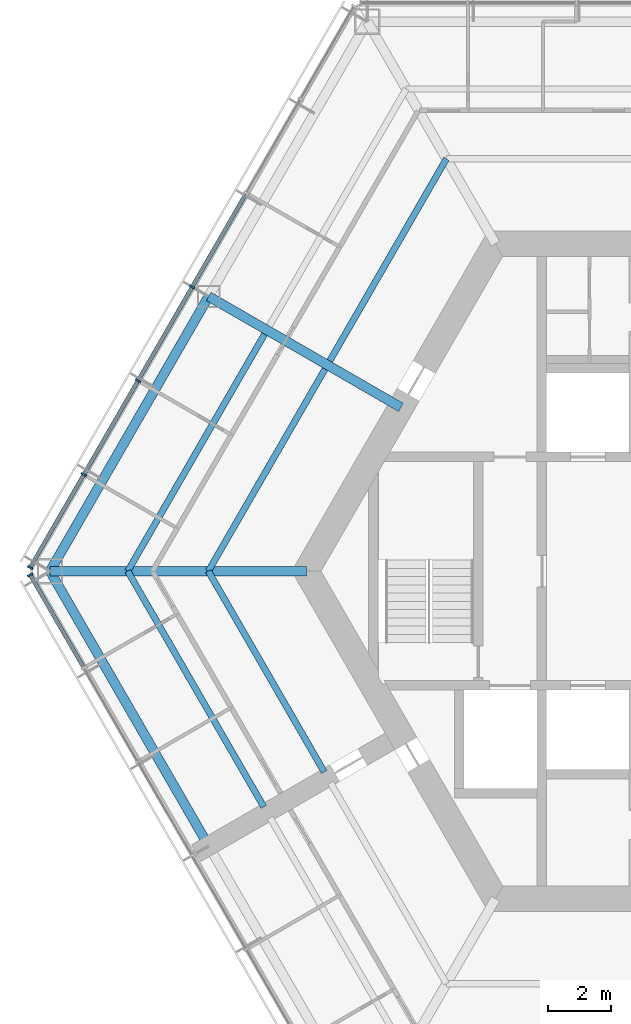
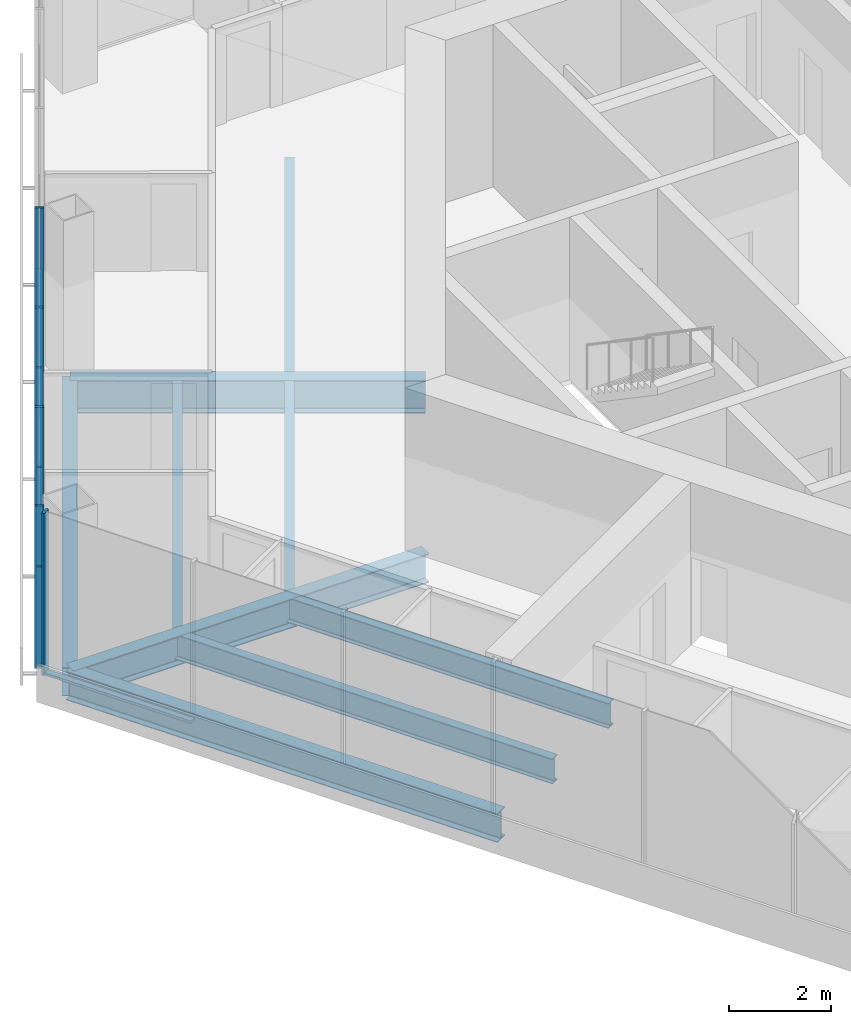
# One storey, part 3 of 13: 10 members, 9 beams, 2 elements without a shape of their own.
"""IFC4 building model written with IfcOpenShell, lengths in metres."""

from ifc_helpers import new_model, si_unit, direction, frame, origin, origin_2d, place, context, subcontext, project, spatial, rectangle, i_section, extrude, material, material_profile, profile_set, type_object, element, aggregate, save


model = new_model("IFC4")

# Units and contexts
model_context = context("Model", 3, precision=1e-05, world=origin(), true_north=direction((0.0, 1.0)))
body_context = subcontext(model_context, "Body", "Model", "MODEL_VIEW")
ifc_project = project(units=[si_unit("LENGTHUNIT", "METRE"), si_unit("AREAUNIT", "SQUARE_METRE"), si_unit("VOLUMEUNIT", "CUBIC_METRE"), si_unit("PLANEANGLEUNIT", "RADIAN"), si_unit("MASSUNIT", "GRAM", prefix="KILO")], contexts=[model_context])

# Site, building, storey
site_placement = place(None, origin())
site = spatial("IfcSite", under=ifc_project, at=site_placement, CompositionType="ELEMENT")
building_placement = place(site_placement, origin())
building = spatial("IfcBuilding", under=site, at=building_placement, Name="Kasaneha Research Tower", CompositionType="ELEMENT")
storey_placement = place(building_placement, frame((0.0, 0.0, 298.60009765625)))
storey = spatial("IfcBuildingStorey", under=building, at=storey_placement, Name="L75", CompositionType="ELEMENT", Elevation=298.60009765625)

# Beams
ifc_material_1 = material(Name="Steel SN490B", Category="steel")
ifc_material_profile_1 = material_profile(ifc_material_1, i_section(OverallWidth=0.199951171875, OverallDepth=0.60009765625, WebThickness=0.010986328125, FlangeThickness=0.01708984375, FilletRadius=0.012939453125, at=origin_2d()), Name="H-600x200x11x17")
ifc_profile_set_1 = profile_set([ifc_material_profile_1], Name="Steel SN490B")
beam_type_1 = type_object("IfcBeamType", Name="B1-3 secondary beam H-600x200x11x17", PredefinedType="JOIST", material=ifc_profile_set_1)
for number, where, z_axis, x_axis, name in (
    (1, (-7.505615234375, 13.0, -0.4501953125), (-0.499994443168, -0.866028611999, 0.0), (0.866028611999, -0.499994443168, 0.0), "Secondary beam RS150L1 L75"),
    (2, (-15.010986328125, 0.0, -0.4501953125), (0.499994443168, 0.866028611999, 0.0), (-0.866028611999, 0.499994443168, 0.0), "Secondary beam RS150R1 L75"),
):
    element("IfcBeam", number, at=place(storey_placement, frame(where, z_axis=z_axis, x_axis=x_axis)), inside=storey, type_object=beam_type_1, Name=name, PredefinedType="JOIST", context=body_context, shape_type="SweptSolid", body=[
        extrude(i_section(OverallWidth=0.199951171875, OverallDepth=0.60009765625, WebThickness=0.010986328125, FlangeThickness=0.01708984375, FilletRadius=0.012939453125, at=origin_2d()), origin(), (0.0, 0.0, 1.0), 7.35546875),
    ])
beam_1_placement = place(storey_placement, frame((-17.551513671875, 0.0, -0.4501953125), z_axis=(0.5000050195, 0.866022505755, 0.0), x_axis=(-0.866022505755, 0.5000050195, 0.0)))
element("IfcBeam", 3, at=beam_1_placement, inside=storey, type_object=beam_type_1, Name="Secondary beam RS150R2 L75", PredefinedType="JOIST", context=body_context, shape_type="SweptSolid", body=[
    extrude(i_section(OverallWidth=0.199951171875, OverallDepth=0.60009765625, WebThickness=0.010986328125, FlangeThickness=0.01708984375, FilletRadius=0.012939453125, at=origin_2d()), origin(), (0.0, 0.0, 1.0), 8.6259765625),
])
beam_2_placement = place(storey_placement, frame((-15.010986328125, 0.0, -0.4501953125), z_axis=(0.499974128195, -0.866040340363, 0.0), x_axis=(0.866040340363, 0.499974128195, 0.0)))
element("IfcBeam", 4, at=beam_2_placement, inside=storey, type_object=beam_type_1, Name="Secondary beam RS210L1 L75", PredefinedType="JOIST", context=body_context, shape_type="SweptSolid", body=[
    extrude(i_section(OverallWidth=0.199951171875, OverallDepth=0.60009765625, WebThickness=0.010986328125, FlangeThickness=0.01708984375, FilletRadius=0.012939453125, at=origin_2d()), origin(), (0.0, 0.0, 1.0), 7.3056640625),
])
beam_3_placement = place(storey_placement, frame((-17.551513671875, 0.0, -0.4501953125), z_axis=(0.500000102728, -0.866025344474, 0.0), x_axis=(0.866025344474, 0.500000102728, 0.0)))
element("IfcBeam", 5, at=beam_3_placement, inside=storey, type_object=beam_type_1, Name="Secondary beam RS210L2 L75", PredefinedType="JOIST", context=body_context, shape_type="SweptSolid", body=[
    extrude(i_section(OverallWidth=0.199951171875, OverallDepth=0.60009765625, WebThickness=0.010986328125, FlangeThickness=0.01708984375, FilletRadius=0.012939453125, at=origin_2d()), origin(), (0.0, 0.0, 1.0), 8.57568359375),
])

# Curtain wall, members
ifc_material_2 = material(Name="Glass and aluminium", Category="aluminium")
curtain_wall_type = type_object("IfcCurtainWallType", Name="Crown curtain wall", PredefinedType="USERDEFINED", material=ifc_material_2)
curtain_wall_1_placement = place(storey_placement, origin())
curtain_wall_1 = element("IfcCurtainWall", 6, at=curtain_wall_1_placement, inside=storey, type_object=curtain_wall_type, Name="CW-C L75 run 03a", ObjectType="UNITISED CURTAIN WALL", PredefinedType="USERDEFINED")
ifc_material_3 = material(Name="Aluminium 6063-T6", Category="aluminium")
ifc_material_profile_2 = material_profile(ifc_material_3, rectangle(XDim=0.06005859375, YDim=0.179931640625, at=origin_2d()), Name="CW-C mullion 60x180")
ifc_profile_set_2 = profile_set([ifc_material_profile_2], Name="Aluminium 6063-T6")
member_type_1 = type_object("IfcMemberType", Name="CW-C mullion", PredefinedType="MULLION", material=ifc_profile_set_2)
member_1_placement = place(storey_placement, frame((-15.51953125, 8.960205078125, 0.0), z_axis=(0.0, 0.0, 1.0), x_axis=(-0.499999995722, -0.866025406254, 0.0)))
member_1 = element("IfcMember", 7, at=member_1_placement, type_object=member_type_1, Name="CW-C mullion 4", PredefinedType="MULLION", context=body_context, shape_type="SweptSolid", body=[
    extrude(rectangle(XDim=0.06005859375, YDim=0.179931640625, at=origin_2d()), origin(), (0.0, 0.0, 1.0), 3.89990234375),
])
member_2_placement = place(storey_placement, frame((-17.227294921875, 6.00244140625, 0.0), z_axis=(0.0, 0.0, 1.0), x_axis=(-0.499999995722, -0.866025406254, 0.0)))
member_2 = element("IfcMember", 8, at=member_2_placement, type_object=member_type_1, Name="CW-C mullion 5", PredefinedType="MULLION", context=body_context, shape_type="SweptSolid", body=[
    extrude(rectangle(XDim=0.06005859375, YDim=0.179931640625, at=origin_2d()), origin(), (0.0, 0.0, 1.0), 3.89990234375),
])
member_3_placement = place(storey_placement, frame((-18.93505859375, 3.04443359375, 0.0), z_axis=(0.0, 0.0, 1.0), x_axis=(-0.499999995722, -0.866025406254, 0.0)))
member_3 = element("IfcMember", 9, at=member_3_placement, type_object=member_type_1, Name="CW-C mullion 6", PredefinedType="MULLION", context=body_context, shape_type="SweptSolid", body=[
    extrude(rectangle(XDim=0.06005859375, YDim=0.179931640625, at=origin_2d()), origin(), (0.0, 0.0, 1.0), 3.89990234375),
])
member_4_placement = place(storey_placement, frame((-20.6279296875, 0.112548828125, 0.0), z_axis=(0.0, 0.0, 1.0), x_axis=(-0.499999995722, -0.866025406254, 0.0)))
member_4 = element("IfcMember", 10, at=member_4_placement, type_object=member_type_1, Name="CW-C mullion 7", PredefinedType="MULLION", context=body_context, shape_type="SweptSolid", body=[
    extrude(rectangle(XDim=0.06005859375, YDim=0.179931640625, at=origin_2d()), origin(), (0.0, 0.0, 1.0), 3.89990234375),
])

# Curtain wall, member
curtain_wall_2_placement = place(storey_placement, origin())
curtain_wall_2 = element("IfcCurtainWall", 11, at=curtain_wall_2_placement, inside=storey, type_object=curtain_wall_type, Name="CW-C L75 run 04a", ObjectType="UNITISED CURTAIN WALL", PredefinedType="USERDEFINED")
member_5_placement = place(storey_placement, frame((-20.6279296875, -0.112548828125, 0.0), z_axis=(0.0, 0.0, 1.0), x_axis=(0.499999995722, -0.866025406254, 0.0)))
member_5 = element("IfcMember", 12, at=member_5_placement, type_object=member_type_1, Name="CW-C mullion 1", PredefinedType="MULLION", context=body_context, shape_type="SweptSolid", body=[
    extrude(rectangle(XDim=0.06005859375, YDim=0.179931640625, at=origin_2d()), origin(), (0.0, 0.0, 1.0), 3.89990234375),
])

# Member
ifc_material_4 = material(Name="Aluminium 6063-T6", Category="aluminium")
ifc_material_profile_3 = material_profile(ifc_material_4, rectangle(XDim=0.1298828125, YDim=0.06005859375, at=origin_2d()), Name="CW-C transom 130x60")
ifc_profile_set_3 = profile_set([ifc_material_profile_3], Name="Aluminium 6063-T6")
member_type_2 = type_object("IfcMemberType", Name="CW-C transom", PredefinedType="USERDEFINED", material=ifc_profile_set_3)
member_6_placement = place(storey_placement, frame((-13.826904296875, 11.89208984375, 0.02978515625), z_axis=(-0.500020578564, -0.866013522419, 0.0), x_axis=(0.866013522419, -0.500020578564, 0.0)))
member_6 = element("IfcMember", 13, at=member_6_placement, type_object=member_type_2, Name="CW-C transom 3", ObjectType="TRANSOM", PredefinedType="USERDEFINED", context=body_context, shape_type="SweptSolid", body=[
    extrude(rectangle(XDim=0.1298828125, YDim=0.06005859375, at=origin_2d()), origin(), (0.0, 0.0, 1.0), 3.355224609375),
])

member_7_placement = place(storey_placement, frame((-15.53466796875, 8.934326171875, 0.02978515625), z_axis=(-0.499989072476, -0.866031712701, 0.0), x_axis=(0.866031712701, -0.499989072476, 0.0)))
member_7 = element("IfcMember", 14, at=member_7_placement, type_object=member_type_2, Name="CW-C transom 4", ObjectType="TRANSOM", PredefinedType="USERDEFINED", context=body_context, shape_type="SweptSolid", body=[
    extrude(rectangle(XDim=0.1298828125, YDim=0.06005859375, at=origin_2d()), origin(), (0.0, 0.0, 1.0), 3.35546875),
])

member_8_placement = place(storey_placement, frame((-17.242431640625, 5.976318359375, 0.02978515625), z_axis=(-0.500020578564, -0.866013522419, 0.0), x_axis=(0.866013522419, -0.500020578564, 0.0)))
member_8 = element("IfcMember", 15, at=member_8_placement, type_object=member_type_2, Name="CW-C transom 5", ObjectType="TRANSOM", PredefinedType="USERDEFINED", context=body_context, shape_type="SweptSolid", body=[
    extrude(rectangle(XDim=0.1298828125, YDim=0.06005859375, at=origin_2d()), origin(), (0.0, 0.0, 1.0), 3.355224609375),
])

member_9_placement = place(storey_placement, frame((-18.9501953125, 3.0185546875, 0.02978515625), z_axis=(-0.49997666526, -0.866038875684, 0.0), x_axis=(0.866038875684, -0.49997666526, 0.0)))
member_9 = element("IfcMember", 16, at=member_9_placement, type_object=member_type_2, Name="CW-C transom 6", ObjectType="TRANSOM", PredefinedType="USERDEFINED", context=body_context, shape_type="SweptSolid", body=[
    extrude(rectangle(XDim=0.1298828125, YDim=0.06005859375, at=origin_2d()), origin(), (0.0, 0.0, 1.0), 3.325439453125),
])

aggregate(curtain_wall_1, [member_1, member_2, member_3, member_4, member_6, member_7, member_8, member_9])

member_10_placement = place(storey_placement, frame((-20.61279296875, -0.138671875, 0.02978515625), z_axis=(0.49997666526, -0.866038875684, 0.0), x_axis=(0.866038875684, 0.49997666526, 0.0)))
member_10 = element("IfcMember", 17, at=member_10_placement, type_object=member_type_2, Name="CW-C transom 1", ObjectType="TRANSOM", PredefinedType="USERDEFINED", context=body_context, shape_type="SweptSolid", body=[
    extrude(rectangle(XDim=0.1298828125, YDim=0.06005859375, at=origin_2d()), origin(), (0.0, 0.0, 1.0), 3.325439453125),
])

aggregate(curtain_wall_2, [member_5, member_10])

# Beams
ifc_material_5 = material(Name="Steel SN490B", Category="steel")
ifc_material_profile_4 = material_profile(ifc_material_5, i_section(OverallWidth=0.300048828125, OverallDepth=0.699951171875, WebThickness=0.012939453125, FlangeThickness=0.02392578125, FilletRadius=0.01806640625, at=origin_2d()), Name="H-700x300x13x24")
ifc_profile_set_4 = profile_set([ifc_material_profile_4], Name="Steel SN490B")
beam_type_2 = type_object("IfcBeamType", Name="G1-3 radial girder H-700x300x13x24", PredefinedType="BEAM", material=ifc_profile_set_4)
beam_4_placement = place(storey_placement, frame((-11.92236328125, 0.0, -0.5), z_axis=(-1.0, 0.0, 0.0), x_axis=(0.0, -1.0, 0.0)))
element("IfcBeam", 18, at=beam_4_placement, inside=storey, type_object=beam_type_2, Name="Radial girder RV180 L75", PredefinedType="BEAM", context=body_context, shape_type="SweptSolid", body=[
    extrude(i_section(OverallWidth=0.300048828125, OverallDepth=0.699951171875, WebThickness=0.012939453125, FlangeThickness=0.02392578125, FilletRadius=0.01806640625, at=origin_2d()), origin(), (0.0, 0.0, 1.0), 8.07763671875),
])
ifc_material_6 = material(Name="Steel SN490B", Category="steel")
ifc_material_profile_5 = material_profile(ifc_material_6, i_section(OverallWidth=0.300048828125, OverallDepth=0.800048828125, WebThickness=0.013916015625, FlangeThickness=0.02587890625, FilletRadius=0.01806640625, at=origin_2d()), Name="H-800x300x14x26")
ifc_profile_set_5 = profile_set([ifc_material_profile_5], Name="Steel SN490B")
beam_type_3 = type_object("IfcBeamType", Name="G2-3 radial girder H-800x300x14x26", PredefinedType="BEAM", material=ifc_profile_set_5)
beam_5_placement = place(storey_placement, frame((-8.941650390625, 5.16259765625, -0.550048828125), z_axis=(-0.866039713508, 0.499975214012, 0.0), x_axis=(-0.499975214012, -0.866039713508, 0.0)))
element("IfcBeam", 19, at=beam_5_placement, inside=storey, type_object=beam_type_3, Name="Radial girder RM150 L75", PredefinedType="BEAM", context=body_context, shape_type="SweptSolid", body=[
    extrude(i_section(OverallWidth=0.300048828125, OverallDepth=0.800048828125, WebThickness=0.013916015625, FlangeThickness=0.02587890625, FilletRadius=0.01806640625, at=origin_2d()), origin(), (0.0, 0.0, 1.0), 6.995361328125),
])
ifc_material_7 = material(Name="Steel SN490B", Category="steel")
ifc_material_profile_6 = material_profile(ifc_material_7, i_section(OverallWidth=0.300048828125, OverallDepth=0.69189453125, WebThickness=0.012939453125, FlangeThickness=0.02001953125, FilletRadius=0.01806640625, at=origin_2d()), Name="H-692x300x13x20")
ifc_profile_set_6 = profile_set([ifc_material_profile_6], Name="Steel SN490B")
beam_type_4 = type_object("IfcBeamType", Name="G3-3 plate edge girder H-692x300x13x20", PredefinedType="BEAM", material=ifc_profile_set_6)
beam_6_placement = place(storey_placement, frame((-20.0, 0.0, -0.49609375), z_axis=(0.49999201416, -0.866030014362, 0.0), x_axis=(0.866030014362, 0.49999201416, 0.0)))
element("IfcBeam", 20, at=beam_6_placement, inside=storey, type_object=beam_type_4, Name="Plate edge girder PEBP L75", PredefinedType="BEAM", context=body_context, shape_type="SweptSolid", body=[
    extrude(i_section(OverallWidth=0.300048828125, OverallDepth=0.69189453125, WebThickness=0.012939453125, FlangeThickness=0.02001953125, FilletRadius=0.01806640625, at=origin_2d()), origin(), (0.0, 0.0, 1.0), 9.800048828125),
])
ifc_material_8 = material(Name="Steel SN490B", Category="steel")
ifc_material_profile_7 = material_profile(ifc_material_8, i_section(OverallWidth=0.300048828125, OverallDepth=0.69189453125, WebThickness=0.012939453125, FlangeThickness=0.02001953125, FilletRadius=0.01806640625, at=origin_2d()), Name="H-692x300x13x20")
ifc_profile_set_7 = profile_set([ifc_material_profile_7], Name="Steel SN490B")
beam_type_5 = type_object("IfcBeamType", Name="SB1-3 spandrel beam H-692x300x13x20", PredefinedType="SPANDREL", material=ifc_profile_set_7)
beam_7_placement = place(storey_placement, frame((-20.0, 0.0, -0.49609375), z_axis=(0.500004234368, 0.866022959057, 0.0), x_axis=(-0.866022959057, 0.500004234368, 0.0)))
element("IfcBeam", 21, at=beam_7_placement, inside=storey, type_object=beam_type_5, Name="Spandrel beam SR150R L75", PredefinedType="SPANDREL", context=body_context, shape_type="SweptSolid", body=[
    extrude(i_section(OverallWidth=0.300048828125, OverallDepth=0.69189453125, WebThickness=0.012939453125, FlangeThickness=0.02001953125, FilletRadius=0.01806640625, at=origin_2d()), origin(), (0.0, 0.0, 1.0), 10.0),
])

save(model, "model.ifc")
